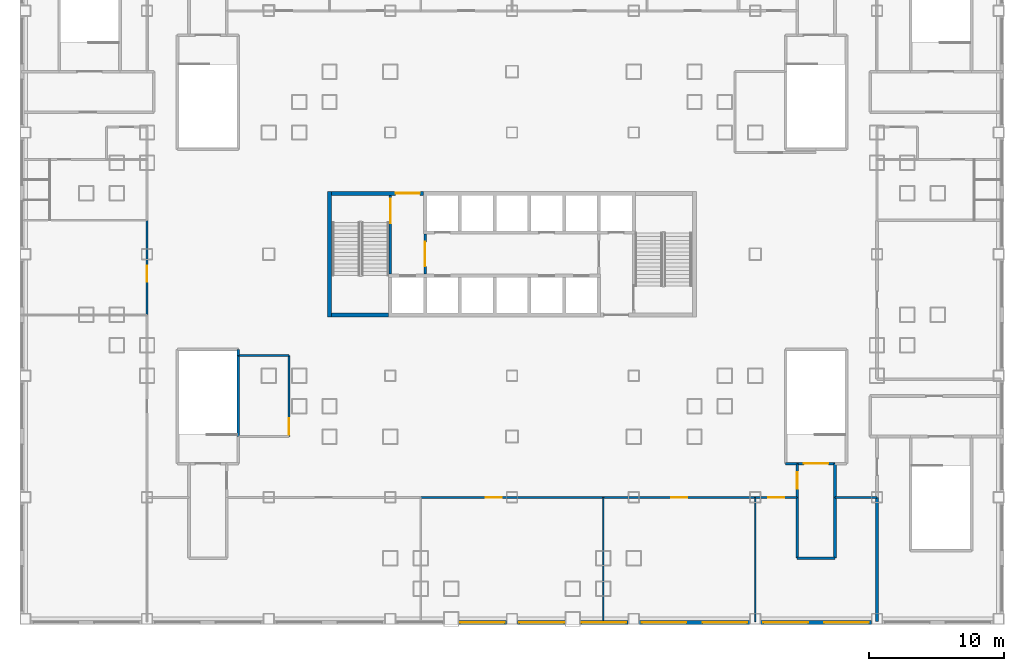
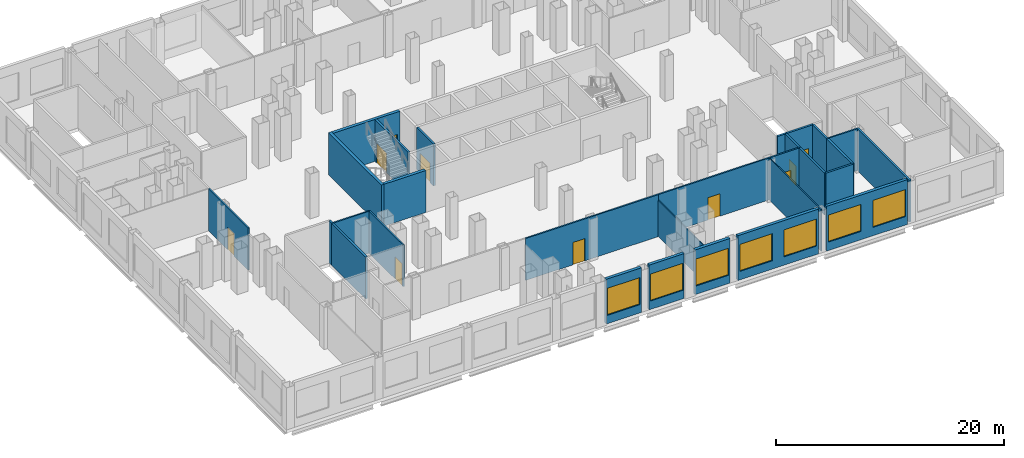
# One storey, part 3 of 13: 29 walls, 10 doors, 7 windows, 17 openings.
"""IFC4 building model written with IfcOpenShell, lengths in metres."""

import ifcopenshell
import ifcopenshell.guid

model = None  # the IFC model being written
_history = None  # IfcOwnerHistory: only IFC2X3 demands one
_inside = {}  # id of a spatial element -> (the spatial element, [elements in it])
_under = {}  # id of a project, library or spatial element -> (it, [spatial elements below it])
_declared = {}  # id of a project -> (the project, [libraries it declares])
_typed = {}  # id of a type object -> (the type object, [elements of that type])
_made_of = {}  # id of a material, layer set ... -> (it, [elements and type objects made of it])


def new_model(schema):
    """Start an empty IFC model of exactly this schema.

    Asked for "IFC4X3", IfcOpenShell would pick the latest addendum, in which some entities
    have other attributes; the version numbers below select the first issue.
    IFC2X3 requires an IfcOwnerHistory on every rooted entity: one is made here for all.
    """
    global model, _history
    if schema == "IFC4X3":
        model = ifcopenshell.file(schema_version=(4, 3, 0, 0))
    else:
        model = ifcopenshell.file(schema=schema)
    _inside.clear()
    _under.clear()
    _declared.clear()
    _typed.clear()
    _made_of.clear()
    _history = None
    if model.schema == "IFC2X3":
        org = make("IfcOrganization", Name="unknown")
        user = make(
            "IfcPersonAndOrganization",
            ThePerson=make("IfcPerson", FamilyName="unknown"),
            TheOrganization=org,
        )
        app = make(
            "IfcApplication",
            ApplicationDeveloper=org,
            Version="unknown",
            ApplicationFullName="unknown",
            ApplicationIdentifier="unknown",
        )
        _history = make(
            "IfcOwnerHistory",
            OwningUser=user,
            OwningApplication=app,
            ChangeAction="ADDED",
            CreationDate=0,
        )
    return model


def make(cls, **values):
    """One entity of the class cls with the attributes given. An attribute that is None is left unset."""
    return model.create_entity(
        cls, **{name: value for name, value in values.items() if value is not None}
    )


def rooted(cls, **values):
    """An entity with a GlobalId (a new one), such as an element, a storey or a relation."""
    return make(cls, GlobalId=ifcopenshell.guid.new(), OwnerHistory=_history, **values)


def si_unit(unit_type, name, prefix=None):
    """IfcSIUnit, for example si_unit("LENGTHUNIT", "METRE", prefix="MILLI")."""
    return make("IfcSIUnit", UnitType=unit_type, Prefix=prefix, Name=name)


def assignment(units):
    """IfcUnitAssignment: the units of a project."""
    return None if units is None else make("IfcUnitAssignment", Units=units)


def point(xyz):
    """IfcCartesianPoint."""
    return None if xyz is None else make("IfcCartesianPoint", Coordinates=xyz)


def direction(xyz):
    """IfcDirection."""
    return None if xyz is None else make("IfcDirection", DirectionRatios=xyz)


def frame(location, z_axis=None, x_axis=None):
    """IfcAxis2Placement3D, a coordinate frame: its origin and axes. An axis left out is left unset."""
    return make(
        "IfcAxis2Placement3D",
        Location=point(location),
        Axis=direction(z_axis),
        RefDirection=direction(x_axis),
    )


def frame_2d(location, x_axis=None):
    """IfcAxis2Placement2D, a coordinate frame in the plane: its origin and x axis."""
    return make(
        "IfcAxis2Placement2D", Location=point(location), RefDirection=direction(x_axis)
    )


def origin():
    """The frame at (0, 0, 0) with its axes left unset."""
    return frame((0.0, 0.0, 0.0))


def place(relative_to, where):
    """IfcLocalPlacement: puts the frame where relative to a parent placement (None: the world)."""
    return make(
        "IfcLocalPlacement", PlacementRelTo=relative_to, RelativePlacement=where
    )


def context(
    kind, dimensions, precision=None, world=None, true_north=None, identifier=None
):
    """IfcGeometricRepresentationContext, for example the 3D "Model" context."""
    return make(
        "IfcGeometricRepresentationContext",
        ContextIdentifier=identifier,
        ContextType=kind,
        CoordinateSpaceDimension=dimensions,
        Precision=precision,
        WorldCoordinateSystem=world,
        TrueNorth=true_north,
    )


def subcontext(parent, identifier, kind, view, scale=None):
    """IfcGeometricRepresentationSubContext, for example "Body" below "Model"."""
    return make(
        "IfcGeometricRepresentationSubContext",
        ContextIdentifier=identifier,
        ContextType=kind,
        ParentContext=parent,
        TargetScale=scale,
        TargetView=view,
    )


def project(units=None, contexts=None):
    """IfcProject with its units and contexts."""
    return rooted(
        "IfcProject",
        Name="project",
        RepresentationContexts=contexts,
        UnitsInContext=assignment(units),
    )


def spatial(cls, under=None, at=None, **own):
    """A site, building, storey or space (cls), placed at a placement, below another one or the project."""
    s = rooted(cls, ObjectPlacement=at, **own)
    if under is not None:
        _under.setdefault(under.id(), (under, []))[1].append(s)
    return s


def profile(cls, at=None, kind="AREA", **sizes):
    """A parametric profile (cls). Its sizes go by their IFC names, for example OverallWidth=200.0."""
    return make(cls, ProfileType=kind, Position=at, **sizes)


def rectangle(**sizes):
    """IfcRectangleProfileDef."""
    return profile("IfcRectangleProfileDef", **sizes)


def extrude(swept, where, along, depth):
    """IfcExtrudedAreaSolid: the profile swept, set in the frame where, extruded along a direction by depth."""
    return make(
        "IfcExtrudedAreaSolid",
        SweptArea=swept,
        Position=where,
        ExtrudedDirection=direction(along),
        Depth=depth,
    )


def shape(context_of_items, identifier, shape_type, items):
    """IfcShapeRepresentation: the items that make up one representation, for example the "Body"."""
    return make(
        "IfcShapeRepresentation",
        ContextOfItems=context_of_items,
        RepresentationIdentifier=identifier,
        RepresentationType=shape_type,
        Items=items,
    )


def material(Name=None, Category=None):
    """IfcMaterial."""
    return make("IfcMaterial", Name=Name, Category=Category)


def layer(
    of_material, thickness, ventilated=None, Name=None, Category=None, Priority=None
):
    """IfcMaterialLayer: one layer of a wall or slab, of a material (None: an air gap)."""
    return make(
        "IfcMaterialLayer",
        Material=of_material,
        LayerThickness=thickness,
        IsVentilated=ventilated,
        Name=Name,
        Category=Category,
        Priority=Priority,
    )


def layer_set(layers, Name=None):
    """IfcMaterialLayerSet."""
    return make("IfcMaterialLayerSet", MaterialLayers=layers, LayerSetName=Name)


def made_of(thing, what):
    """Note that an element or type object is made of a material, layer set ...; save() writes the relation."""
    if what is not None:
        _made_of.setdefault(what.id(), (what, []))[1].append(thing)
    return thing


def type_object(cls, material=None, **own):
    """A type object (cls), such as IfcWallType, which elements share."""
    return made_of(rooted(cls, **own), material)


def element(
    cls,
    number,
    at=None,
    inside=None,
    cuts=None,
    type_object=None,
    material=None,
    context=None,
    identifier="Body",
    shape_type=None,
    held_by="IfcProductDefinitionShape",
    body=None,
    shapes=None,
    **own,
):
    """One element of the class cls, such as IfcWall. Its Tag is "e" and its number.

    at: its placement. inside: the storey or other place that contains it. cuts: it is an
    opening in that element (IfcRelVoidsElement). A single representation is given by context,
    identifier, shape_type and body (its items); several are given by shapes. held_by: the class
    of the entity that holds the representations. save() writes the other relations.
    """
    e = rooted(cls, Tag="e%d" % number, ObjectPlacement=at, **own)
    if body is not None:
        shapes = [shape(context, identifier, shape_type, body)]
    if shapes is not None:
        e.Representation = make(held_by, Representations=shapes)
    if inside is not None:
        _inside.setdefault(inside.id(), (inside, []))[1].append(e)
    if cuts is not None:
        rooted(
            "IfcRelVoidsElement", RelatingBuildingElement=cuts, RelatedOpeningElement=e
        )
    if type_object is not None:
        _typed.setdefault(type_object.id(), (type_object, []))[1].append(e)
    return made_of(e, material)


def fill(opening, filler):
    """IfcRelFillsElement: the door or window that sits in an opening."""
    return rooted(
        "IfcRelFillsElement",
        RelatingOpeningElement=opening,
        RelatedBuildingElement=filler,
    )


def aggregate(whole, parts):
    """IfcRelAggregates: a whole, such as a stair, and the parts it consists of."""
    return rooted("IfcRelAggregates", RelatingObject=whole, RelatedObjects=parts)


def save(model, path):
    """Write the relations noted so far, then the file.

    IfcRelAggregates (storeys below a building ...), IfcRelContainedInSpatialStructure (elements
    in a storey), IfcRelDefinesByType, IfcRelAssociatesMaterial and IfcRelDeclares: one each for
    every whole, place, type object, material and project.
    """
    for whole, parts in _under.values():
        aggregate(whole, parts)
    for where, things in _inside.values():
        rooted(
            "IfcRelContainedInSpatialStructure",
            RelatedElements=things,
            RelatingStructure=where,
        )
    for kind, things in _typed.values():
        rooted("IfcRelDefinesByType", RelatedObjects=things, RelatingType=kind)
    for what, things in _made_of.values():
        rooted("IfcRelAssociatesMaterial", RelatedObjects=things, RelatingMaterial=what)
    for by, libraries in _declared.values():
        rooted("IfcRelDeclares", RelatingContext=by, RelatedDefinitions=libraries)
    model.write(path)


model = new_model("IFC4")

# Units and contexts
model_context = context("Model", 3, precision=1e-05, world=origin(), true_north=direction((0.0, 1.0)))
body_context = subcontext(model_context, "Body", "Model", "MODEL_VIEW")
ifc_project = project(units=[si_unit("LENGTHUNIT", "METRE"), si_unit("AREAUNIT", "SQUARE_METRE"), si_unit("VOLUMEUNIT", "CUBIC_METRE"), si_unit("PLANEANGLEUNIT", "RADIAN"), si_unit("MASSUNIT", "GRAM", prefix="KILO")], contexts=[model_context])

# Site, building, storey
site_placement = place(None, origin())
site = spatial("IfcSite", under=ifc_project, at=site_placement, CompositionType="ELEMENT")
building_placement = place(site_placement, origin())
building = spatial("IfcBuilding", under=site, at=building_placement, Name="Caravel Reach Hotel and Residences", CompositionType="ELEMENT")
storey_placement = place(building_placement, frame((0.0, 0.0, 28.800048828125)))
storey = spatial("IfcBuildingStorey", under=building, at=storey_placement, Name="L05", CompositionType="ELEMENT", Elevation=28.800048828125)

# Wall
ifc_material_1 = material(Name="Autoclaved aerated block wall")
ifc_layer_1 = layer(ifc_material_1, 0.199951171875)
ifc_layer_set_1 = layer_set([ifc_layer_1], Name="Compartment wall 200 mm EI 120")
wall_type_1 = type_object("IfcWallType", Name="Compartment wall 200 mm EI 120", PredefinedType="PARTITIONING", material=ifc_layer_set_1)
wall_1_placement = place(storey_placement, frame((52.60009765625, 4.5, 0.0), z_axis=(0.0, 0.0, 1.0), x_axis=(1.0, 0.0, 0.0)))
element("IfcWall", 1, at=wall_1_placement, inside=storey, type_object=wall_type_1, Name="L05 wall w053", PredefinedType="PARTITIONING", context=body_context, shape_type="SweptSolid", body=[
    extrude(rectangle(XDim=2.7998046875, YDim=0.199951171875, at=frame_2d((1.39990234375, 0.0))), origin(), (0.0, 0.0, 1.0), 4.5),
])

# Wall, opening, door
wall_2_placement = place(storey_placement, frame((52.60009765625, 9.0, 0.0), z_axis=(0.0, 0.0, 1.0), x_axis=(0.0, 1.0, 0.0)))
wall_2 = element("IfcWall", 2, at=wall_2_placement, inside=storey, type_object=wall_type_1, Name="L05 wall w069", PredefinedType="PARTITIONING", context=body_context, shape_type="SweptSolid", body=[
    extrude(rectangle(XDim=2.5, YDim=0.199951171875, at=frame_2d((1.25, 0.0))), origin(), (0.0, 0.0, 1.0), 4.5),
])
opening_1_placement = place(wall_2_placement, frame((0.64990234375, 0.0, 0.0)))
opening_1 = element("IfcOpeningElement", 3, at=opening_1_placement, cuts=wall_2, Name="Opening D05-020", PredefinedType="OPENING", context=body_context, shape_type="SweptSolid", body=[
    extrude(rectangle(XDim=1.199951171875, YDim=2.10009765625, at=frame_2d((0.60009765625, 1.050048828125))), frame((0.0, 0.10986328125, 0.0), z_axis=(0.0, -1.0, 0.0), x_axis=(1.0, 0.0, 0.0)), (0.0, 0.0, 1.0), 0.219970703125),
])
ifc_material_2 = material(Name="Steel fire door leaf", Category="steel")
door_type_1 = type_object("IfcDoorType", Name="Fire lobby door 1200 x 2100 EI 90", OperationType="SINGLE_SWING_LEFT", PredefinedType="DOOR", material=ifc_material_2)
door_1_placement = place(opening_1_placement, origin())
door_1 = element("IfcDoor", 4, at=door_1_placement, inside=storey, type_object=door_type_1, Name="door D05-020", OperationType="SINGLE_SWING_RIGHT", OverallHeight=2.10009765625, OverallWidth=1.199951171875, PredefinedType="DOOR", context=body_context, shape_type="SweptSolid", body=[
    extrude(rectangle(XDim=1.199951171875, YDim=2.10009765625, at=frame_2d((0.60009765625, 1.050048828125))), frame((0.0, 0.02490234375, 0.0), z_axis=(0.0, -1.0, 0.0), x_axis=(1.0, 0.0, 0.0)), (0.0, 0.0, 1.0), 0.050048828125),
])
fill(opening_1, door_1)

# Walls
wall_3_placement = place(storey_placement, frame((52.60009765625, 4.5, 0.0), z_axis=(0.0, 0.0, 1.0), x_axis=(0.0, 1.0, 0.0)))
element("IfcWall", 5, at=wall_3_placement, inside=storey, type_object=wall_type_1, Name="L05 wall w070", PredefinedType="PARTITIONING", context=body_context, shape_type="SweptSolid", body=[
    extrude(rectangle(XDim=4.5, YDim=0.199951171875, at=frame_2d((2.25, 0.0))), origin(), (0.0, 0.0, 1.0), 4.5),
])
wall_4_placement = place(storey_placement, frame((55.39990234375, 9.0, 0.0), z_axis=(0.0, 0.0, 1.0), x_axis=(0.0, 1.0, 0.0)))
element("IfcWall", 6, at=wall_4_placement, inside=storey, type_object=wall_type_1, Name="L05 wall w072", PredefinedType="PARTITIONING", context=body_context, shape_type="SweptSolid", body=[
    extrude(rectangle(XDim=2.5, YDim=0.199951171875, at=frame_2d((1.25, 0.0))), origin(), (0.0, 0.0, 1.0), 4.5),
])
wall_5_placement = place(storey_placement, frame((55.39990234375, 4.5, 0.0), z_axis=(0.0, 0.0, 1.0), x_axis=(0.0, 1.0, 0.0)))
element("IfcWall", 7, at=wall_5_placement, inside=storey, type_object=wall_type_1, Name="L05 wall w073", PredefinedType="PARTITIONING", context=body_context, shape_type="SweptSolid", body=[
    extrude(rectangle(XDim=4.5, YDim=0.199951171875, at=frame_2d((2.25, 0.0))), origin(), (0.0, 0.0, 1.0), 4.5),
])
wall_6_placement = place(storey_placement, frame((58.5, -0.18994140625, 0.0), z_axis=(0.0, 0.0, 1.0), x_axis=(0.0, 1.0, 0.0)))
element("IfcWall", 8, at=wall_6_placement, inside=storey, type_object=wall_type_1, Name="L05 wall w077", PredefinedType="PARTITIONING", context=body_context, shape_type="SweptSolid", body=[
    extrude(rectangle(XDim=9.18994140625, YDim=0.199951171875, at=frame_2d((4.594970703125, 0.0))), origin(), (0.0, 0.0, 1.0), 4.5),
])
ifc_material_3 = material(Name="Concrete C60", Category="concrete")
ifc_layer_2 = layer(ifc_material_3, 0.300048828125)
ifc_layer_set_2 = layer_set([ifc_layer_2], Name="Core wall 300 mm EI 120")
wall_type_2 = type_object("IfcWallType", Name="Core wall 300 mm EI 120", PredefinedType="SHEAR", material=ifc_layer_set_2)
wall_7_placement = place(storey_placement, frame((18.14990234375, 22.5, 0.0), z_axis=(0.0, 0.0, 1.0), x_axis=(1.0, 0.0, 0.0)))
element("IfcWall", 9, at=wall_7_placement, inside=storey, type_object=wall_type_2, Name="L05 core wall S1", PredefinedType="SHEAR", context=body_context, shape_type="SweptSolid", body=[
    extrude(rectangle(XDim=4.22509765625, YDim=0.300048828125, at=frame_2d((2.112548828125, 0.0))), origin(), (0.0, 0.0, 1.0), 4.5),
])

# Wall, opening, door
wall_8_placement = place(storey_placement, frame((18.14990234375, 31.5, 0.0), z_axis=(0.0, 0.0, 1.0), x_axis=(1.0, 0.0, 0.0)))
wall_8 = element("IfcWall", 10, at=wall_8_placement, inside=storey, type_object=wall_type_2, Name="L05 core wall N1", PredefinedType="SHEAR", context=body_context, shape_type="SweptSolid", body=[
    extrude(rectangle(XDim=6.796630859375, YDim=0.300048828125, at=frame_2d((3.3984375, 0.0))), origin(), (0.0, 0.0, 1.0), 4.5),
])
opening_2_placement = place(wall_8_placement, frame((4.735595703125, 0.0, 0.0)))
opening_2 = element("IfcOpeningElement", 11, at=opening_2_placement, cuts=wall_8, Name="Opening D05-012", PredefinedType="OPENING", context=body_context, shape_type="SweptSolid", body=[
    extrude(rectangle(XDim=1.800048828125, YDim=2.10009765625, at=frame_2d((0.89990234375, 1.050048828125))), frame((0.0, 0.159912109375, 0.0), z_axis=(0.0, -1.0, 0.0), x_axis=(1.0, 0.0, 0.0)), (0.0, 0.0, 1.0), 0.320068359375),
])
ifc_material_4 = material(Name="Steel fire door leaf", Category="steel")
door_type_2 = type_object("IfcDoorType", Name="Fire lobby door pair 1800 x 2100 EI 90", OperationType="DOUBLE_DOOR_SINGLE_SWING", PredefinedType="DOOR", material=ifc_material_4)
door_2_placement = place(opening_2_placement, origin())
door_2 = element("IfcDoor", 12, at=door_2_placement, inside=storey, type_object=door_type_2, Name="lobby N door pair to corridor", OperationType="DOUBLE_DOOR_SINGLE_SWING", OverallHeight=2.10009765625, OverallWidth=1.800048828125, PredefinedType="DOOR", context=body_context, shape_type="SweptSolid", body=[
    extrude(rectangle(XDim=1.800048828125, YDim=2.10009765625, at=frame_2d((0.89990234375, 1.050048828125))), frame((0.0, 0.02490234375, 0.0), z_axis=(0.0, -1.0, 0.0), x_axis=(1.0, 0.0, 0.0)), (0.0, 0.0, 1.0), 0.050048828125),
])
fill(opening_2, door_2)

# Walls
wall_9_placement = place(storey_placement, frame((18.0, 22.35009765625, 0.0), z_axis=(0.0, 0.0, 1.0), x_axis=(0.0, 1.0, 0.0)))
element("IfcWall", 13, at=wall_9_placement, inside=storey, type_object=wall_type_2, Name="L05 core wall W", PredefinedType="SHEAR", context=body_context, shape_type="SweptSolid", body=[
    extrude(rectangle(XDim=9.2998046875, YDim=0.300048828125, at=frame_2d((4.64990234375, 0.0))), origin(), (0.0, 0.0, 1.0), 4.5),
])
ifc_material_5 = material(Name="Gypsum board on steel stud, fire-rated", Category="steel")
ifc_layer_3 = layer(ifc_material_5, 0.14990234375)
ifc_layer_set_3 = layer_set([ifc_layer_3], Name="Corridor wall 150 mm EI 60")
wall_type_3 = type_object("IfcWallType", Name="Corridor wall 150 mm EI 60", PredefinedType="PARTITIONING", material=ifc_layer_set_3)
wall_10_placement = place(storey_placement, frame((11.25, 19.5, 0.0), z_axis=(0.0, 0.0, 1.0), x_axis=(1.0, 0.0, 0.0)))
element("IfcWall", 14, at=wall_10_placement, inside=storey, type_object=wall_type_3, Name="L05 wall w002", PredefinedType="PARTITIONING", context=body_context, shape_type="SweptSolid", body=[
    extrude(rectangle(XDim=3.75, YDim=0.14990234375, at=frame_2d((1.875, 0.0))), origin(), (0.0, 0.0, 1.0), 4.5),
])

# Wall, opening, door
wall_11_placement = place(storey_placement, frame((24.75, 9.0, 0.0), z_axis=(0.0, 0.0, 1.0), x_axis=(1.0, 0.0, 0.0)))
wall_11 = element("IfcWall", 15, at=wall_11_placement, inside=storey, type_object=wall_type_3, Name="L05 wall w016", PredefinedType="PARTITIONING", context=body_context, shape_type="SweptSolid", body=[
    extrude(rectangle(XDim=13.5, YDim=0.14990234375, at=frame_2d((6.75, 0.0))), origin(), (0.0, 0.0, 1.0), 4.5),
])
opening_3_placement = place(wall_11_placement, frame((4.800048828125, 0.0, 0.0)))
opening_3 = element("IfcOpeningElement", 16, at=opening_3_placement, cuts=wall_11, Name="Opening D05-039", PredefinedType="OPENING", context=body_context, shape_type="SweptSolid", body=[
    extrude(rectangle(XDim=1.199951171875, YDim=2.39990234375, at=frame_2d((0.60009765625, 1.199951171875))), frame((0.0, 0.0849609375, 0.0), z_axis=(0.0, -1.0, 0.0), x_axis=(1.0, 0.0, 0.0)), (0.0, 0.0, 1.0), 0.169921875),
])
ifc_material_6 = material(Name="Timber and steel door leaf", Category="steel")
door_type_3 = type_object("IfcDoorType", Name="Glazed door 1200 x 2400", OperationType="SINGLE_SWING_LEFT", PredefinedType="DOOR", material=ifc_material_6)
door_3_placement = place(opening_3_placement, origin())
door_3 = element("IfcDoor", 17, at=door_3_placement, inside=storey, type_object=door_type_3, Name="door D05-039", OperationType="SINGLE_SWING_LEFT", OverallHeight=2.39990234375, OverallWidth=1.199951171875, PredefinedType="DOOR", context=body_context, shape_type="SweptSolid", body=[
    extrude(rectangle(XDim=1.199951171875, YDim=2.39990234375, at=frame_2d((0.60009765625, 1.199951171875))), frame((0.0, 0.02490234375, 0.0), z_axis=(0.0, -1.0, 0.0), x_axis=(1.0, 0.0, 0.0)), (0.0, 0.0, 1.0), 0.050048828125),
])
fill(opening_3, door_3)

wall_12_placement = place(storey_placement, frame((38.25, 9.0, 0.0), z_axis=(0.0, 0.0, 1.0), x_axis=(1.0, 0.0, 0.0)))
wall_12 = element("IfcWall", 18, at=wall_12_placement, inside=storey, type_object=wall_type_3, Name="L05 wall w017", PredefinedType="PARTITIONING", context=body_context, shape_type="SweptSolid", body=[
    extrude(rectangle(XDim=11.25, YDim=0.14990234375, at=frame_2d((5.625, 0.0))), origin(), (0.0, 0.0, 1.0), 4.5),
])
opening_4_placement = place(wall_12_placement, frame((5.02490234375, 0.0, 0.0)))
opening_4 = element("IfcOpeningElement", 19, at=opening_4_placement, cuts=wall_12, Name="Opening D05-040", PredefinedType="OPENING", context=body_context, shape_type="SweptSolid", body=[
    extrude(rectangle(XDim=1.199951171875, YDim=2.39990234375, at=frame_2d((0.60009765625, 1.199951171875))), frame((0.0, 0.0849609375, 0.0), z_axis=(0.0, -1.0, 0.0), x_axis=(1.0, 0.0, 0.0)), (0.0, 0.0, 1.0), 0.169921875),
])
door_4_placement = place(opening_4_placement, origin())
door_4 = element("IfcDoor", 20, at=door_4_placement, inside=storey, type_object=door_type_3, Name="door D05-040", OperationType="SINGLE_SWING_LEFT", OverallHeight=2.39990234375, OverallWidth=1.199951171875, PredefinedType="DOOR", context=body_context, shape_type="SweptSolid", body=[
    extrude(rectangle(XDim=1.199951171875, YDim=2.39990234375, at=frame_2d((0.60009765625, 1.199951171875))), frame((0.0, 0.02490234375, 0.0), z_axis=(0.0, -1.0, 0.0), x_axis=(1.0, 0.0, 0.0)), (0.0, 0.0, 1.0), 0.050048828125),
])
fill(opening_4, door_4)

wall_13_placement = place(storey_placement, frame((49.5, 9.0, 0.0), z_axis=(0.0, 0.0, 1.0), x_axis=(1.0, 0.0, 0.0)))
wall_13 = element("IfcWall", 21, at=wall_13_placement, inside=storey, type_object=wall_type_3, Name="L05 wall w018", PredefinedType="PARTITIONING", context=body_context, shape_type="SweptSolid", body=[
    extrude(rectangle(XDim=3.10009765625, YDim=0.14990234375, at=frame_2d((1.550048828125, 0.0))), origin(), (0.0, 0.0, 1.0), 4.5),
])
opening_5_placement = place(wall_13_placement, frame((0.949951171875, 0.0, 0.0)))
opening_5 = element("IfcOpeningElement", 22, at=opening_5_placement, cuts=wall_13, Name="Opening D05-041", PredefinedType="OPENING", context=body_context, shape_type="SweptSolid", body=[
    extrude(rectangle(XDim=1.199951171875, YDim=2.39990234375, at=frame_2d((0.60009765625, 1.199951171875))), frame((0.0, 0.0849609375, 0.0), z_axis=(0.0, -1.0, 0.0), x_axis=(1.0, 0.0, 0.0)), (0.0, 0.0, 1.0), 0.169921875),
])
door_5_placement = place(opening_5_placement, origin())
door_5 = element("IfcDoor", 23, at=door_5_placement, inside=storey, type_object=door_type_3, Name="door D05-041", OperationType="SINGLE_SWING_LEFT", OverallHeight=2.39990234375, OverallWidth=1.199951171875, PredefinedType="DOOR", context=body_context, shape_type="SweptSolid", body=[
    extrude(rectangle(XDim=1.199951171875, YDim=2.39990234375, at=frame_2d((0.60009765625, 1.199951171875))), frame((0.0, 0.02490234375, 0.0), z_axis=(0.0, -1.0, 0.0), x_axis=(1.0, 0.0, 0.0)), (0.0, 0.0, 1.0), 0.050048828125),
])
fill(opening_5, door_5)

# Wall
wall_14_placement = place(storey_placement, frame((55.39990234375, 9.0, 0.0), z_axis=(0.0, 0.0, 1.0), x_axis=(1.0, 0.0, 0.0)))
element("IfcWall", 24, at=wall_14_placement, inside=storey, type_object=wall_type_3, Name="L05 wall w019", PredefinedType="PARTITIONING", context=body_context, shape_type="SweptSolid", body=[
    extrude(rectangle(XDim=3.10009765625, YDim=0.14990234375, at=frame_2d((1.550048828125, 0.0))), origin(), (0.0, 0.0, 1.0), 4.5),
])

# Wall, opening, door
wall_15_placement = place(storey_placement, frame((15.0, 13.5, 0.0), z_axis=(0.0, 0.0, 1.0), x_axis=(0.0, 1.0, 0.0)))
wall_15 = element("IfcWall", 25, at=wall_15_placement, inside=storey, type_object=wall_type_3, Name="L05 wall w021", PredefinedType="PARTITIONING", context=body_context, shape_type="SweptSolid", body=[
    extrude(rectangle(XDim=6.0, YDim=0.14990234375, at=frame_2d((3.0, 0.0))), origin(), (0.0, 0.0, 1.0), 4.5),
])
opening_6_placement = place(wall_15_placement, frame((0.14990234375, 0.0, 0.0)))
opening_6 = element("IfcOpeningElement", 26, at=opening_6_placement, cuts=wall_15, Name="Opening D05-048", PredefinedType="OPENING", context=body_context, shape_type="SweptSolid", body=[
    extrude(rectangle(XDim=1.199951171875, YDim=2.39990234375, at=frame_2d((0.60009765625, 1.199951171875))), frame((0.0, 0.0849609375, 0.0), z_axis=(0.0, -1.0, 0.0), x_axis=(1.0, 0.0, 0.0)), (0.0, 0.0, 1.0), 0.169921875),
])
door_6_placement = place(opening_6_placement, origin())
door_6 = element("IfcDoor", 27, at=door_6_placement, inside=storey, type_object=door_type_3, Name="door D05-048", OperationType="SINGLE_SWING_LEFT", OverallHeight=2.39990234375, OverallWidth=1.199951171875, PredefinedType="DOOR", context=body_context, shape_type="SweptSolid", body=[
    extrude(rectangle(XDim=1.199951171875, YDim=2.39990234375, at=frame_2d((0.60009765625, 1.199951171875))), frame((0.0, 0.02490234375, 0.0), z_axis=(0.0, -1.0, 0.0), x_axis=(1.0, 0.0, 0.0)), (0.0, 0.0, 1.0), 0.050048828125),
])
fill(opening_6, door_6)

wall_16_placement = place(storey_placement, frame((4.5, 22.5, 0.0), z_axis=(0.0, 0.0, 1.0), x_axis=(0.0, 1.0, 0.0)))
wall_16 = element("IfcWall", 28, at=wall_16_placement, inside=storey, type_object=wall_type_3, Name="L05 wall w023", PredefinedType="PARTITIONING", context=body_context, shape_type="SweptSolid", body=[
    extrude(rectangle(XDim=7.0, YDim=0.14990234375, at=frame_2d((3.5, 0.0))), origin(), (0.0, 0.0, 1.0), 4.5),
])
opening_7_placement = place(wall_16_placement, frame((2.449951171875, 0.0, 0.0)))
opening_7 = element("IfcOpeningElement", 29, at=opening_7_placement, cuts=wall_16, Name="Opening D05-029", PredefinedType="OPENING", context=body_context, shape_type="SweptSolid", body=[
    extrude(rectangle(XDim=1.199951171875, YDim=2.39990234375, at=frame_2d((0.60009765625, 1.199951171875))), frame((0.0, 0.0849609375, 0.0), z_axis=(0.0, -1.0, 0.0), x_axis=(1.0, 0.0, 0.0)), (0.0, 0.0, 1.0), 0.169921875),
])
door_7_placement = place(opening_7_placement, origin())
door_7 = element("IfcDoor", 30, at=door_7_placement, inside=storey, type_object=door_type_3, Name="door D05-029", OperationType="SINGLE_SWING_LEFT", OverallHeight=2.39990234375, OverallWidth=1.199951171875, PredefinedType="DOOR", context=body_context, shape_type="SweptSolid", body=[
    extrude(rectangle(XDim=1.199951171875, YDim=2.39990234375, at=frame_2d((0.60009765625, 1.199951171875))), frame((0.0, 0.02490234375, 0.0), z_axis=(0.0, -1.0, 0.0), x_axis=(1.0, 0.0, 0.0)), (0.0, 0.0, 1.0), 0.050048828125),
])
fill(opening_7, door_7)

# Wall, opening, window
ifc_material_7 = material(Name="Insulated wall, stone cladding", Category="masonry")
ifc_layer_4 = layer(ifc_material_7, 0.300048828125)
ifc_layer_set_4 = layer_set([ifc_layer_4], Name="EW2 Podium stone-clad wall")
wall_type_4 = type_object("IfcWallType", Name="EW2 Podium stone-clad wall", PredefinedType="SOLIDWALL", material=ifc_layer_set_4)
wall_17_placement = place(storey_placement, frame((27.550048828125, -0.25, 0.0), z_axis=(0.0, 0.0, 1.0), x_axis=(1.0, 0.0, 0.0)))
wall_17 = element("IfcWall", 31, at=wall_17_placement, inside=storey, type_object=wall_type_4, Name="External wall L05 S4.5", PredefinedType="SOLIDWALL", context=body_context, shape_type="SweptSolid", body=[
    extrude(rectangle(XDim=3.550048828125, YDim=0.300048828125, at=frame_2d((1.77490234375, 0.0))), origin(), (0.0, 0.0, 1.0), 4.800048828125),
])
opening_8_placement = place(wall_17_placement, frame((0.10009765625, 0.0, 0.89990234375)))
opening_8 = element("IfcOpeningElement", 32, at=opening_8_placement, cuts=wall_17, Name="Opening WN32", PredefinedType="OPENING", context=body_context, shape_type="SweptSolid", body=[
    extrude(rectangle(XDim=3.300048828125, YDim=2.89990234375, at=frame_2d((1.64990234375, 1.449951171875))), frame((0.0, 0.159912109375, 0.0), z_axis=(0.0, -1.0, 0.0), x_axis=(1.0, 0.0, 0.0)), (0.0, 0.0, 1.0), 0.320068359375),
])
ifc_material_8 = material(Name="Dark low-e glazing in black aluminium frame", Category="aluminium")
window_type = type_object("IfcWindowType", Name="Podium window 3300 x 2900", PartitioningType="SINGLE_PANEL", PredefinedType="WINDOW", material=ifc_material_8)
window_1_placement = place(opening_8_placement, origin())
window_1 = element("IfcWindow", 33, at=window_1_placement, inside=storey, type_object=window_type, Name="Window L05 S4.5.1", OverallHeight=2.89990234375, OverallWidth=3.300048828125, PartitioningType="SINGLE_PANEL", PredefinedType="WINDOW", context=body_context, shape_type="SweptSolid", body=[
    extrude(rectangle(XDim=3.300048828125, YDim=2.89990234375, at=frame_2d((1.64990234375, 1.449951171875))), frame((0.0, 0.030029296875, 0.0), z_axis=(0.0, -1.0, 0.0), x_axis=(1.0, 0.0, 0.0)), (0.0, 0.0, 1.0), 0.06005859375),
])
fill(opening_8, window_1)

wall_18_placement = place(storey_placement, frame((31.89990234375, -0.25, 0.0), z_axis=(0.0, 0.0, 1.0), x_axis=(1.0, 0.0, 0.0)))
wall_18 = element("IfcWall", 34, at=wall_18_placement, inside=storey, type_object=wall_type_4, Name="External wall L05 S4.6", PredefinedType="SOLIDWALL", context=body_context, shape_type="SweptSolid", body=[
    extrude(rectangle(XDim=3.550048828125, YDim=0.300048828125, at=frame_2d((1.77490234375, 0.0))), origin(), (0.0, 0.0, 1.0), 4.800048828125),
])
opening_9_placement = place(wall_18_placement, frame((0.14990234375, 0.0, 0.89990234375)))
opening_9 = element("IfcOpeningElement", 35, at=opening_9_placement, cuts=wall_18, Name="Opening WN32", PredefinedType="OPENING", context=body_context, shape_type="SweptSolid", body=[
    extrude(rectangle(XDim=3.300048828125, YDim=2.89990234375, at=frame_2d((1.64990234375, 1.449951171875))), frame((0.0, 0.159912109375, 0.0), z_axis=(0.0, -1.0, 0.0), x_axis=(1.0, 0.0, 0.0)), (0.0, 0.0, 1.0), 0.320068359375),
])
window_2_placement = place(opening_9_placement, origin())
window_2 = element("IfcWindow", 36, at=window_2_placement, inside=storey, type_object=window_type, Name="Window L05 S4.6.1", OverallHeight=2.89990234375, OverallWidth=3.300048828125, PartitioningType="SINGLE_PANEL", PredefinedType="WINDOW", context=body_context, shape_type="SweptSolid", body=[
    extrude(rectangle(XDim=3.300048828125, YDim=2.89990234375, at=frame_2d((1.64990234375, 1.449951171875))), frame((0.0, 0.030029296875, 0.0), z_axis=(0.0, -1.0, 0.0), x_axis=(1.0, 0.0, 0.0)), (0.0, 0.0, 1.0), 0.06005859375),
])
fill(opening_9, window_2)

wall_19_placement = place(storey_placement, frame((36.550048828125, -0.25, 0.0), z_axis=(0.0, 0.0, 1.0), x_axis=(1.0, 0.0, 0.0)))
wall_19 = element("IfcWall", 37, at=wall_19_placement, inside=storey, type_object=wall_type_4, Name="External wall L05 S4.7", PredefinedType="SOLIDWALL", context=body_context, shape_type="SweptSolid", body=[
    extrude(rectangle(XDim=3.550048828125, YDim=0.300048828125, at=frame_2d((1.77490234375, 0.0))), origin(), (0.0, 0.0, 1.0), 4.800048828125),
])
opening_10_placement = place(wall_19_placement, frame((0.10009765625, 0.0, 0.89990234375)))
opening_10 = element("IfcOpeningElement", 38, at=opening_10_placement, cuts=wall_19, Name="Opening WN32", PredefinedType="OPENING", context=body_context, shape_type="SweptSolid", body=[
    extrude(rectangle(XDim=3.300048828125, YDim=2.89990234375, at=frame_2d((1.64990234375, 1.449951171875))), frame((0.0, 0.159912109375, 0.0), z_axis=(0.0, -1.0, 0.0), x_axis=(1.0, 0.0, 0.0)), (0.0, 0.0, 1.0), 0.320068359375),
])
window_3_placement = place(opening_10_placement, origin())
window_3 = element("IfcWindow", 39, at=window_3_placement, inside=storey, type_object=window_type, Name="Window L05 S4.7.1", OverallHeight=2.89990234375, OverallWidth=3.300048828125, PartitioningType="SINGLE_PANEL", PredefinedType="WINDOW", context=body_context, shape_type="SweptSolid", body=[
    extrude(rectangle(XDim=3.300048828125, YDim=2.89990234375, at=frame_2d((1.64990234375, 1.449951171875))), frame((0.0, 0.030029296875, 0.0), z_axis=(0.0, -1.0, 0.0), x_axis=(1.0, 0.0, 0.0)), (0.0, 0.0, 1.0), 0.06005859375),
])
fill(opening_10, window_3)

# Wall, openings, windows
wall_20_placement = place(storey_placement, frame((40.89990234375, -0.25, 0.0), z_axis=(0.0, 0.0, 1.0), x_axis=(1.0, 0.0, 0.0)))
wall_20 = element("IfcWall", 40, at=wall_20_placement, inside=storey, type_object=wall_type_4, Name="External wall L05 S4.8", PredefinedType="SOLIDWALL", context=body_context, shape_type="SweptSolid", body=[
    extrude(rectangle(XDim=8.2001953125, YDim=0.300048828125, at=frame_2d((4.10009765625, 0.0))), origin(), (0.0, 0.0, 1.0), 4.800048828125),
])
opening_11_placement = place(wall_20_placement, frame((0.199951171875, 0.0, 0.89990234375)))
opening_11 = element("IfcOpeningElement", 41, at=opening_11_placement, cuts=wall_20, Name="Opening WN32", PredefinedType="OPENING", context=body_context, shape_type="SweptSolid", body=[
    extrude(rectangle(XDim=3.300048828125, YDim=2.89990234375, at=frame_2d((1.64990234375, 1.449951171875))), frame((0.0, 0.159912109375, 0.0), z_axis=(0.0, -1.0, 0.0), x_axis=(1.0, 0.0, 0.0)), (0.0, 0.0, 1.0), 0.320068359375),
])
opening_12_placement = place(wall_20_placement, frame((4.699951171875, 0.0, 0.89990234375)))
opening_12 = element("IfcOpeningElement", 42, at=opening_12_placement, cuts=wall_20, Name="Opening WN32", PredefinedType="OPENING", context=body_context, shape_type="SweptSolid", body=[
    extrude(rectangle(XDim=3.300048828125, YDim=2.89990234375, at=frame_2d((1.64990234375, 1.449951171875))), frame((0.0, 0.159912109375, 0.0), z_axis=(0.0, -1.0, 0.0), x_axis=(1.0, 0.0, 0.0)), (0.0, 0.0, 1.0), 0.320068359375),
])
window_4_placement = place(opening_11_placement, origin())
window_4 = element("IfcWindow", 43, at=window_4_placement, inside=storey, type_object=window_type, Name="Window L05 S4.8.1", OverallHeight=2.89990234375, OverallWidth=3.300048828125, PartitioningType="SINGLE_PANEL", PredefinedType="WINDOW", context=body_context, shape_type="SweptSolid", body=[
    extrude(rectangle(XDim=3.300048828125, YDim=2.89990234375, at=frame_2d((1.64990234375, 1.449951171875))), frame((0.0, 0.030029296875, 0.0), z_axis=(0.0, -1.0, 0.0), x_axis=(1.0, 0.0, 0.0)), (0.0, 0.0, 1.0), 0.06005859375),
])
fill(opening_11, window_4)
window_5_placement = place(opening_12_placement, origin())
window_5 = element("IfcWindow", 44, at=window_5_placement, inside=storey, type_object=window_type, Name="Window L05 S4.8.2", OverallHeight=2.89990234375, OverallWidth=3.300048828125, PartitioningType="SINGLE_PANEL", PredefinedType="WINDOW", context=body_context, shape_type="SweptSolid", body=[
    extrude(rectangle(XDim=3.300048828125, YDim=2.89990234375, at=frame_2d((1.64990234375, 1.449951171875))), frame((0.0, 0.030029296875, 0.0), z_axis=(0.0, -1.0, 0.0), x_axis=(1.0, 0.0, 0.0)), (0.0, 0.0, 1.0), 0.06005859375),
])
fill(opening_12, window_5)

wall_21_placement = place(storey_placement, frame((49.89990234375, -0.25, 0.0), z_axis=(0.0, 0.0, 1.0), x_axis=(1.0, 0.0, 0.0)))
wall_21 = element("IfcWall", 45, at=wall_21_placement, inside=storey, type_object=wall_type_4, Name="External wall L05 S4.9", PredefinedType="SOLIDWALL", context=body_context, shape_type="SweptSolid", body=[
    extrude(rectangle(XDim=8.2001953125, YDim=0.300048828125, at=frame_2d((4.10009765625, 0.0))), origin(), (0.0, 0.0, 1.0), 4.800048828125),
])
opening_13_placement = place(wall_21_placement, frame((0.199951171875, 0.0, 0.89990234375)))
opening_13 = element("IfcOpeningElement", 46, at=opening_13_placement, cuts=wall_21, Name="Opening WN32", PredefinedType="OPENING", context=body_context, shape_type="SweptSolid", body=[
    extrude(rectangle(XDim=3.300048828125, YDim=2.89990234375, at=frame_2d((1.64990234375, 1.449951171875))), frame((0.0, 0.159912109375, 0.0), z_axis=(0.0, -1.0, 0.0), x_axis=(1.0, 0.0, 0.0)), (0.0, 0.0, 1.0), 0.320068359375),
])
opening_14_placement = place(wall_21_placement, frame((4.699951171875, 0.0, 0.89990234375)))
opening_14 = element("IfcOpeningElement", 47, at=opening_14_placement, cuts=wall_21, Name="Opening WN32", PredefinedType="OPENING", context=body_context, shape_type="SweptSolid", body=[
    extrude(rectangle(XDim=3.300048828125, YDim=2.89990234375, at=frame_2d((1.64990234375, 1.449951171875))), frame((0.0, 0.159912109375, 0.0), z_axis=(0.0, -1.0, 0.0), x_axis=(1.0, 0.0, 0.0)), (0.0, 0.0, 1.0), 0.320068359375),
])
window_6_placement = place(opening_13_placement, origin())
window_6 = element("IfcWindow", 48, at=window_6_placement, inside=storey, type_object=window_type, Name="Window L05 S4.9.1", OverallHeight=2.89990234375, OverallWidth=3.300048828125, PartitioningType="SINGLE_PANEL", PredefinedType="WINDOW", context=body_context, shape_type="SweptSolid", body=[
    extrude(rectangle(XDim=3.300048828125, YDim=2.89990234375, at=frame_2d((1.64990234375, 1.449951171875))), frame((0.0, 0.030029296875, 0.0), z_axis=(0.0, -1.0, 0.0), x_axis=(1.0, 0.0, 0.0)), (0.0, 0.0, 1.0), 0.06005859375),
])
fill(opening_13, window_6)
window_7_placement = place(opening_14_placement, origin())
window_7 = element("IfcWindow", 49, at=window_7_placement, inside=storey, type_object=window_type, Name="Window L05 S4.9.2", OverallHeight=2.89990234375, OverallWidth=3.300048828125, PartitioningType="SINGLE_PANEL", PredefinedType="WINDOW", context=body_context, shape_type="SweptSolid", body=[
    extrude(rectangle(XDim=3.300048828125, YDim=2.89990234375, at=frame_2d((1.64990234375, 1.449951171875))), frame((0.0, 0.030029296875, 0.0), z_axis=(0.0, -1.0, 0.0), x_axis=(1.0, 0.0, 0.0)), (0.0, 0.0, 1.0), 0.06005859375),
])
fill(opening_14, window_7)

# Wall, opening, door
ifc_material_9 = material(Name="Autoclaved aerated block wall")
ifc_layer_5 = layer(ifc_material_9, 0.199951171875)
ifc_layer_set_5 = layer_set([ifc_layer_5], Name="Fire lobby wall 200 mm EI 120")
wall_type_5 = type_object("IfcWallType", Name="Fire lobby wall 200 mm EI 120", PredefinedType="PARTITIONING", material=ifc_layer_set_5)
wall_22_placement = place(storey_placement, frame((25.071533203125, 25.52490234375, 0.0), z_axis=(0.0, 0.0, 1.0), x_axis=(0.0, 1.0, 0.0)))
wall_22 = element("IfcWall", 50, at=wall_22_placement, inside=storey, type_object=wall_type_5, Name="L05 lobby W wall", PredefinedType="PARTITIONING", context=body_context, shape_type="SweptSolid", body=[
    extrude(rectangle(XDim=2.9501953125, YDim=0.199951171875, at=frame_2d((1.47509765625, 0.0))), origin(), (0.0, 0.0, 1.0), 4.5),
])
opening_15_placement = place(wall_22_placement, frame((0.574951171875, 0.0, 0.0)))
opening_15 = element("IfcOpeningElement", 51, at=opening_15_placement, cuts=wall_22, Name="Opening D05-010", PredefinedType="OPENING", context=body_context, shape_type="SweptSolid", body=[
    extrude(rectangle(XDim=1.800048828125, YDim=2.10009765625, at=frame_2d((0.89990234375, 1.050048828125))), frame((0.0, 0.10986328125, 0.0), z_axis=(0.0, -1.0, 0.0), x_axis=(1.0, 0.0, 0.0)), (0.0, 0.0, 1.0), 0.219970703125),
])
door_8_placement = place(opening_15_placement, origin())
door_8 = element("IfcDoor", 52, at=door_8_placement, inside=storey, type_object=door_type_2, Name="lobby W door pair", OperationType="DOUBLE_DOOR_SINGLE_SWING", OverallHeight=2.10009765625, OverallWidth=1.800048828125, PredefinedType="DOOR", context=body_context, shape_type="SweptSolid", body=[
    extrude(rectangle(XDim=1.800048828125, YDim=2.10009765625, at=frame_2d((0.89990234375, 1.050048828125))), frame((0.0, 0.02490234375, 0.0), z_axis=(0.0, -1.0, 0.0), x_axis=(1.0, 0.0, 0.0)), (0.0, 0.0, 1.0), 0.050048828125),
])
fill(opening_15, door_8)

# Walls
ifc_material_10 = material(Name="Gypsum board on steel stud", Category="steel")
ifc_layer_6 = layer(ifc_material_10, 0.10009765625)
ifc_layer_set_6 = layer_set([ifc_layer_6], Name="Partition 100 mm")
wall_type_6 = type_object("IfcWallType", Name="Partition 100 mm", PredefinedType="PARTITIONING", material=ifc_layer_set_6)
wall_23_placement = place(storey_placement, frame((38.25, -0.1201171875, 0.0), z_axis=(0.0, 0.0, 1.0), x_axis=(0.0, 1.0, 0.0)))
element("IfcWall", 53, at=wall_23_placement, inside=storey, type_object=wall_type_6, Name="L05 wall w040", PredefinedType="PARTITIONING", context=body_context, shape_type="SweptSolid", body=[
    extrude(rectangle(XDim=9.1201171875, YDim=0.10009765625, at=frame_2d((4.56005859375, 0.0))), origin(), (0.0, 0.0, 1.0), 3.8798828125),
])
wall_24_placement = place(storey_placement, frame((49.5, -0.18994140625, 0.0), z_axis=(0.0, 0.0, 1.0), x_axis=(0.0, 1.0, 0.0)))
element("IfcWall", 54, at=wall_24_placement, inside=storey, type_object=wall_type_6, Name="L05 wall w043", PredefinedType="PARTITIONING", context=body_context, shape_type="SweptSolid", body=[
    extrude(rectangle(XDim=9.18994140625, YDim=0.10009765625, at=frame_2d((4.594970703125, 0.0))), origin(), (0.0, 0.0, 1.0), 4.5),
])

# Wall, opening, door
ifc_material_11 = material(Name="Concrete C60", Category="concrete")
ifc_layer_7 = layer(ifc_material_11, 0.199951171875)
ifc_layer_set_7 = layer_set([ifc_layer_7], Name="Stair enclosure wall 200 mm EI 120")
wall_type_7 = type_object("IfcWallType", Name="Stair enclosure wall 200 mm EI 120", PredefinedType="SHEAR", material=ifc_layer_set_7)
wall_25_placement = place(storey_placement, frame((22.5, 31.35009765625, 0.0), z_axis=(0.0, 0.0, 1.0), x_axis=(0.0, -1.0, 0.0)))
wall_25 = element("IfcWall", 55, at=wall_25_placement, inside=storey, type_object=wall_type_7, Name="L05 stair A wall", PredefinedType="SHEAR", context=body_context, shape_type="SweptSolid", body=[
    extrude(rectangle(XDim=5.8251953125, YDim=0.199951171875, at=frame_2d((2.91259765625, 0.0))), origin(), (0.0, 0.0, 1.0), 4.5),
])
opening_16_placement = place(wall_25_placement, frame((0.25, 0.0, 0.0)))
opening_16 = element("IfcOpeningElement", 56, at=opening_16_placement, cuts=wall_25, Name="Opening D05-008", PredefinedType="OPENING", context=body_context, shape_type="SweptSolid", body=[
    extrude(rectangle(XDim=1.800048828125, YDim=2.10009765625, at=frame_2d((0.89990234375, 1.050048828125))), frame((0.0, 0.10986328125, 0.0), z_axis=(0.0, -1.0, 0.0), x_axis=(1.0, 0.0, 0.0)), (0.0, 0.0, 1.0), 0.219970703125),
])
ifc_material_12 = material(Name="Steel fire door leaf", Category="steel")
door_type_4 = type_object("IfcDoorType", Name="Stair door pair 1800 x 2100 EI 90", OperationType="DOUBLE_DOOR_SINGLE_SWING", PredefinedType="DOOR", material=ifc_material_12)
door_9_placement = place(opening_16_placement, origin())
door_9 = element("IfcDoor", 57, at=door_9_placement, inside=storey, type_object=door_type_4, Name="stair A door pair", OperationType="DOUBLE_DOOR_SINGLE_SWING", OverallHeight=2.10009765625, OverallWidth=1.800048828125, PredefinedType="DOOR", context=body_context, shape_type="SweptSolid", body=[
    extrude(rectangle(XDim=1.800048828125, YDim=2.10009765625, at=frame_2d((0.89990234375, 1.050048828125))), frame((0.0, 0.02490234375, 0.0), z_axis=(0.0, -1.0, 0.0), x_axis=(1.0, 0.0, 0.0)), (0.0, 0.0, 1.0), 0.050048828125),
])
fill(opening_16, door_9)

# Wall
wall_26_placement = place(storey_placement, frame((51.75, 11.5, 0.0), z_axis=(0.0, 0.0, 1.0), x_axis=(1.0, 0.0, 0.0)))
element("IfcWall", 58, at=wall_26_placement, inside=storey, type_object=wall_type_7, Name="L05 wall w085", PredefinedType="SHEAR", context=body_context, shape_type="SweptSolid", body=[
    extrude(rectangle(XDim=0.85009765625, YDim=0.199951171875, at=frame_2d((0.425048828125, 0.0))), origin(), (0.0, 0.0, 1.0), 4.5),
])

# Wall, opening, door
wall_27_placement = place(storey_placement, frame((52.60009765625, 11.5, 0.0), z_axis=(0.0, 0.0, 1.0), x_axis=(1.0, 0.0, 0.0)))
wall_27 = element("IfcWall", 59, at=wall_27_placement, inside=storey, type_object=wall_type_7, Name="L05 wall w087", PredefinedType="SHEAR", context=body_context, shape_type="SweptSolid", body=[
    extrude(rectangle(XDim=2.7998046875, YDim=0.199951171875, at=frame_2d((1.39990234375, 0.0))), origin(), (0.0, 0.0, 1.0), 4.5),
])
opening_17_placement = place(wall_27_placement, frame((0.5, 0.0, 0.0)))
opening_17 = element("IfcOpeningElement", 60, at=opening_17_placement, cuts=wall_27, Name="Opening D05-021", PredefinedType="OPENING", context=body_context, shape_type="SweptSolid", body=[
    extrude(rectangle(XDim=1.800048828125, YDim=2.10009765625, at=frame_2d((0.89990234375, 1.050048828125))), frame((0.0, 0.10986328125, 0.0), z_axis=(0.0, -1.0, 0.0), x_axis=(1.0, 0.0, 0.0)), (0.0, 0.0, 1.0), 0.219970703125),
])
door_10_placement = place(opening_17_placement, origin())
door_10 = element("IfcDoor", 61, at=door_10_placement, inside=storey, type_object=door_type_4, Name="door D05-021", OperationType="DOUBLE_DOOR_SINGLE_SWING", OverallHeight=2.10009765625, OverallWidth=1.800048828125, PredefinedType="DOOR", context=body_context, shape_type="SweptSolid", body=[
    extrude(rectangle(XDim=1.800048828125, YDim=2.10009765625, at=frame_2d((0.89990234375, 1.050048828125))), frame((0.0, 0.02490234375, 0.0), z_axis=(0.0, -1.0, 0.0), x_axis=(1.0, 0.0, 0.0)), (0.0, 0.0, 1.0), 0.050048828125),
])
fill(opening_17, door_10)

# Walls
wall_28_placement = place(storey_placement, frame((11.25, 19.5, 0.0), z_axis=(0.0, 0.0, 1.0), x_axis=(0.0, 1.0, 0.0)))
element("IfcWall", 62, at=wall_28_placement, inside=storey, type_object=wall_type_7, Name="L05 wall w108", PredefinedType="SHEAR", context=body_context, shape_type="SweptSolid", body=[
    extrude(rectangle(XDim=0.449951171875, YDim=0.199951171875, at=frame_2d((0.22509765625, 0.0))), origin(), (0.0, 0.0, 1.0), 4.5),
])
wall_29_placement = place(storey_placement, frame((11.25, 13.5, 0.0), z_axis=(0.0, 0.0, 1.0), x_axis=(0.0, 1.0, 0.0)))
element("IfcWall", 63, at=wall_29_placement, inside=storey, type_object=wall_type_7, Name="L05 wall w109", PredefinedType="SHEAR", context=body_context, shape_type="SweptSolid", body=[
    extrude(rectangle(XDim=6.0, YDim=0.199951171875, at=frame_2d((3.0, 0.0))), origin(), (0.0, 0.0, 1.0), 4.5),
])

save(model, "model.ifc")
